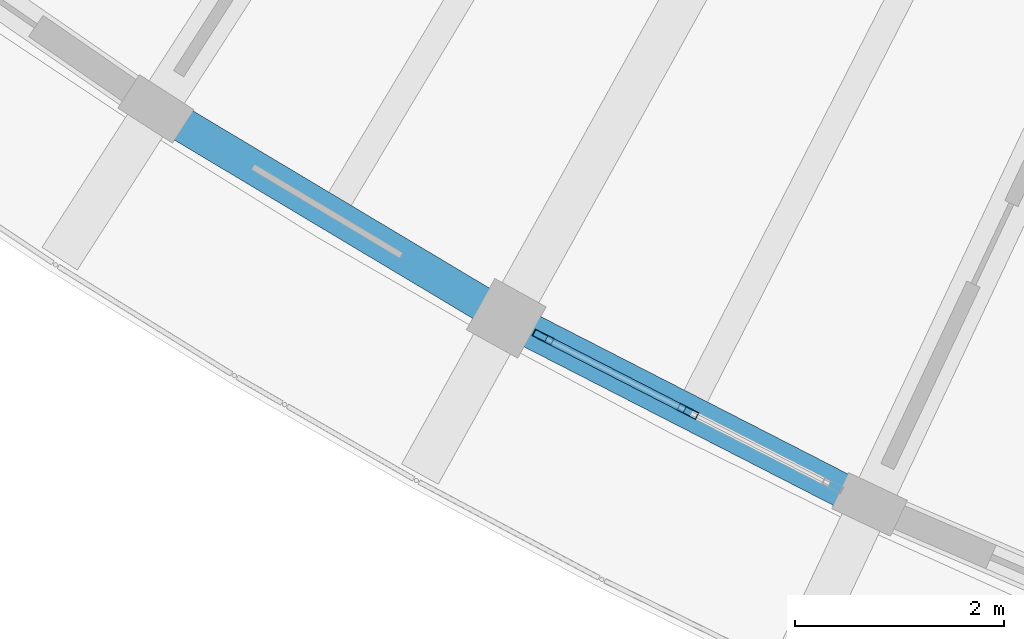
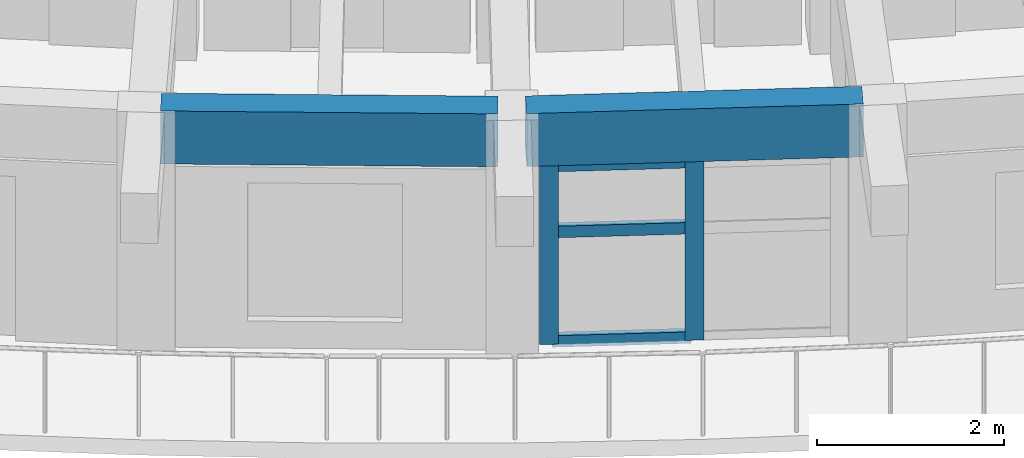
# One storey, part 3 of 96: 5 members, 2 beams, 1 element without a shape of its own.
"""IFC4 building model written with IfcOpenShell, lengths in metres."""

from ifc_helpers import new_model, si_unit, direction, frame, origin, origin_2d, place, context, subcontext, project, spatial, rectangle, hollow_rectangle, extrude, material, material_profile, profile_set, type_object, element, aggregate, save


model = new_model("IFC4")

# Units and contexts
model_context = context("Model", 3, precision=1e-05, world=origin(), true_north=direction((0.0, 1.0)))
body_context = subcontext(model_context, "Body", "Model", "MODEL_VIEW")
ifc_project = project(units=[si_unit("LENGTHUNIT", "METRE"), si_unit("AREAUNIT", "SQUARE_METRE"), si_unit("VOLUMEUNIT", "CUBIC_METRE"), si_unit("PLANEANGLEUNIT", "RADIAN"), si_unit("MASSUNIT", "GRAM", prefix="KILO")], contexts=[model_context])

# Site, building, storey
site_placement = place(None, origin())
site = spatial("IfcSite", under=ifc_project, at=site_placement, CompositionType="ELEMENT")
building_placement = place(site_placement, origin())
building = spatial("IfcBuilding", under=site, at=building_placement, Name="Tanwirah Colonnade Gardens", CompositionType="ELEMENT")
storey_placement = place(building_placement, frame((0.0, 0.0, 12.199951171875)))
storey = spatial("IfcBuildingStorey", under=building, at=storey_placement, Name="L03", CompositionType="ELEMENT", Elevation=12.199951171875)

# Curtain wall, members
ifc_material_1 = material(Name="Bronze-anodised aluminium and solar-control low-E glass", Category="aluminium")
curtain_wall_type = type_object("IfcCurtainWallType", Name="CW-LOB", PredefinedType="NOTDEFINED", material=ifc_material_1)
curtain_wall_placement = place(storey_placement, origin())
curtain_wall = element("IfcCurtainWall", 1, at=curtain_wall_placement, inside=storey, type_object=curtain_wall_type, Name="Curtain Wall CW-C-L03-OUT-12", PredefinedType="NOTDEFINED")
ifc_material_2 = material(Name="Bronze-anodised aluminium", Category="aluminium")
ifc_material_profile_1 = material_profile(ifc_material_2, hollow_rectangle(XDim=0.070068359375, YDim=0.199951171875, WallThickness=0.00390625, at=origin_2d()), Name="CW-MUL 70x200x4")
ifc_profile_set_1 = profile_set([ifc_material_profile_1], Name="Bronze-anodised aluminium")
member_type_1 = type_object("IfcMemberType", Name="CWM-70x200", PredefinedType="MULLION", material=ifc_profile_set_1)
member_1_placement = place(storey_placement, frame((36.481201171875, 12.236328125, 0.0), z_axis=(0.0, 0.0, 1.0), x_axis=(0.455932978269, 0.890014111869, 0.0)))
member_1 = element("IfcMember", 2, at=member_1_placement, type_object=member_type_1, Name="CW-LOB mullion 1", PredefinedType="MULLION", context=body_context, shape_type="SweptSolid", body=[
    extrude(hollow_rectangle(XDim=0.070068359375, YDim=0.199951171875, WallThickness=0.00390625, at=origin_2d()), origin(), (0.0, 0.0, 1.0), 2.35498046875),
])
member_2_placement = place(storey_placement, frame((37.86376953125, 11.528076171875, 0.0), z_axis=(0.0, 0.0, 1.0), x_axis=(0.455932978269, 0.890014111869, 0.0)))
member_2 = element("IfcMember", 3, at=member_2_placement, type_object=member_type_1, Name="CW-LOB mullion 2", PredefinedType="MULLION", context=body_context, shape_type="SweptSolid", body=[
    extrude(hollow_rectangle(XDim=0.070068359375, YDim=0.199951171875, WallThickness=0.00390625, at=origin_2d()), origin(), (0.0, 0.0, 1.0), 2.35498046875),
])
ifc_material_profile_2 = material_profile(ifc_material_2, hollow_rectangle(XDim=0.070068359375, YDim=0.14990234375, WallThickness=0.00390625, at=origin_2d()), Name="CW-TRN 70x150x4")
ifc_profile_set_2 = profile_set([ifc_material_profile_2], Name="Bronze-anodised aluminium")
member_type_2 = type_object("IfcMemberType", Name="CWT-70x150", PredefinedType="USERDEFINED", material=ifc_profile_set_2)
member_3_placement = place(storey_placement, frame((36.51220703125, 12.220458984375, 0.03515625), z_axis=(0.889973324591, -0.456012589209, 0.0), x_axis=(0.456012589209, 0.889973324591, 0.0)))
member_3 = element("IfcMember", 4, at=member_3_placement, type_object=member_type_2, Name="CW-LOB transom 1.1", ObjectType="TRANSOM", PredefinedType="USERDEFINED", context=body_context, shape_type="SweptSolid", body=[
    extrude(hollow_rectangle(XDim=0.070068359375, YDim=0.14990234375, WallThickness=0.00390625, at=origin_2d()), origin(), (0.0, 0.0, 1.0), 1.483642578125),
])
member_4_placement = place(storey_placement, frame((36.51220703125, 12.220458984375, 1.460205078125), z_axis=(0.889973324591, -0.456012589209, 0.0), x_axis=(0.456012589209, 0.889973324591, 0.0)))
member_4 = element("IfcMember", 5, at=member_4_placement, type_object=member_type_2, Name="CW-LOB transom 1.2", ObjectType="TRANSOM", PredefinedType="USERDEFINED", context=body_context, shape_type="SweptSolid", body=[
    extrude(hollow_rectangle(XDim=0.070068359375, YDim=0.14990234375, WallThickness=0.00390625, at=origin_2d()), origin(), (0.0, 0.0, 1.0), 1.483642578125),
])
member_5_placement = place(storey_placement, frame((36.51220703125, 12.220458984375, 2.320068359375), z_axis=(0.889973324591, -0.456012589209, 0.0), x_axis=(0.456012589209, 0.889973324591, 0.0)))
member_5 = element("IfcMember", 6, at=member_5_placement, type_object=member_type_2, Name="CW-LOB transom 1.3", ObjectType="TRANSOM", PredefinedType="USERDEFINED", context=body_context, shape_type="SweptSolid", body=[
    extrude(hollow_rectangle(XDim=0.070068359375, YDim=0.14990234375, WallThickness=0.00390625, at=origin_2d()), origin(), (0.0, 0.0, 1.0), 1.483642578125),
])
aggregate(curtain_wall, [member_1, member_2, member_3, member_4, member_5])

# Beams
ifc_material_3 = material(Name="Precast concrete C40/50", Category="concrete")
ifc_material_profile_3 = material_profile(ifc_material_3, rectangle(XDim=0.330078125, YDim=0.68994140625, at=origin_2d()), Name="PC-SP 330x690")
ifc_profile_set_3 = profile_set([ifc_material_profile_3], Name="Precast concrete C40/50")
beam_type = type_object("IfcBeamType", Name="SP-PC280", PredefinedType="SPANDREL", material=ifc_profile_set_3)
for number, where, z_axis, x_axis, name in (
    (7, (32.913818359375, 14.339111328125, 2.760009765625), (0.858282522832, -0.513177465407, 0.0), (0.513177465407, 0.858282522832, 0.0), "Block C L03 Circumferential Beam 11-R3"),
    (8, (36.26318359375, 12.347900390625, 2.760009765625), (0.890013134589, -0.455934885985, 0.0), (0.455934885985, 0.890013134589, 0.0), "Block C L03 Circumferential Beam 12-R3"),
):
    element("IfcBeam", number, at=place(storey_placement, frame(where, z_axis=z_axis, x_axis=x_axis)), inside=storey, type_object=beam_type, Name=name, PredefinedType="SPANDREL", context=body_context, shape_type="SweptSolid", body=[
        extrude(rectangle(XDim=0.330078125, YDim=0.68994140625, at=origin_2d()), origin(), (0.0, 0.0, 1.0), 3.5966796875),
    ])

save(model, "model.ifc")
